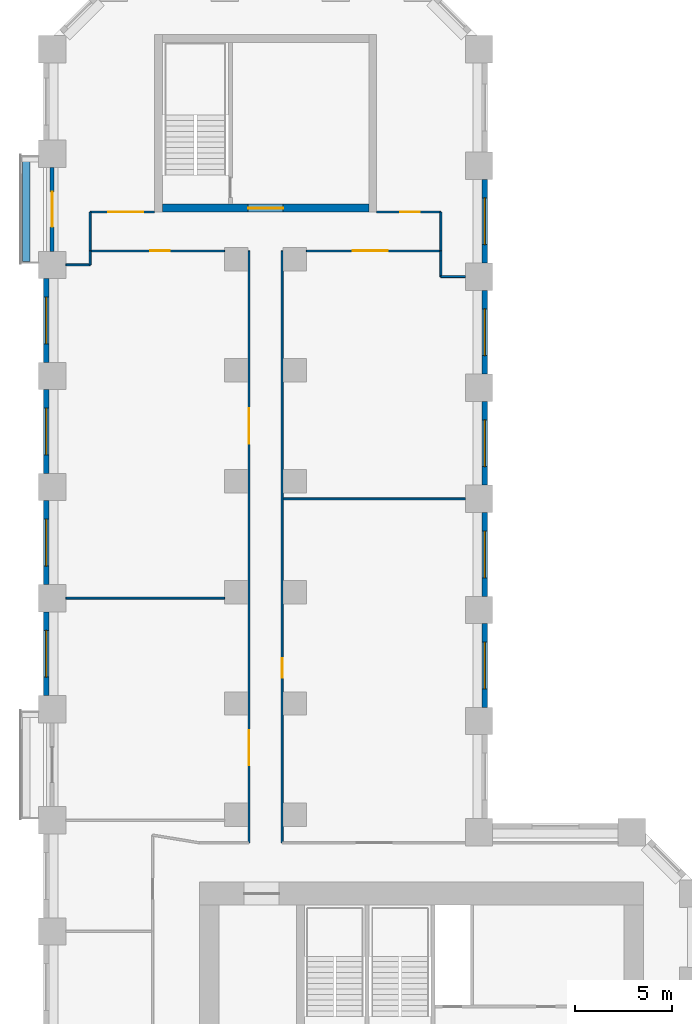
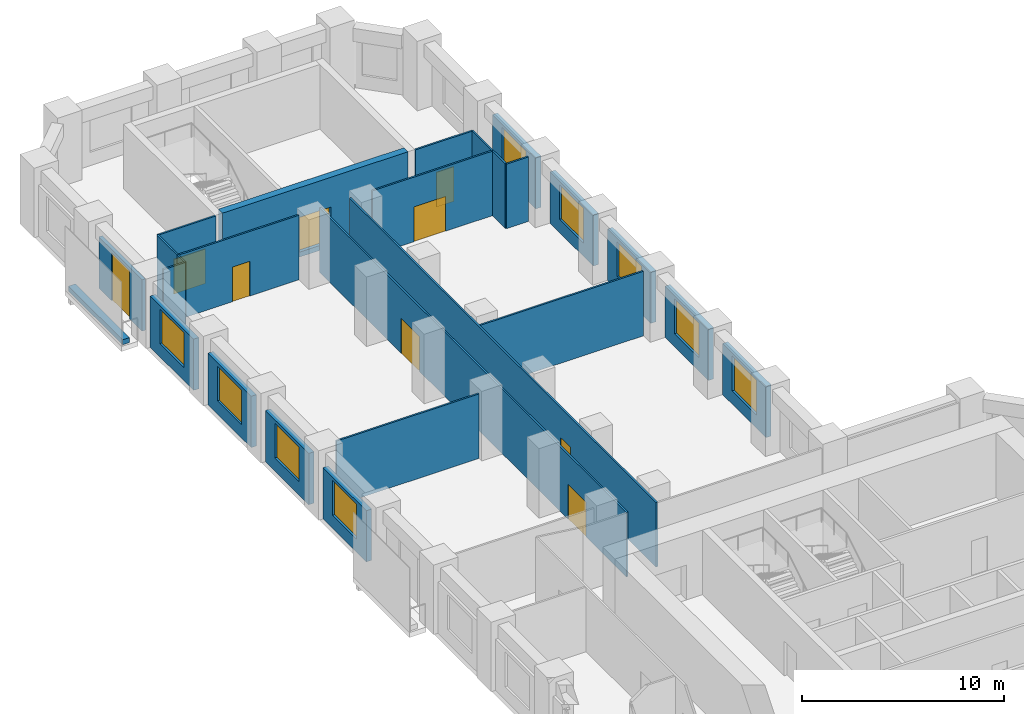
# One storey, part 8 of 11: 26 walls, 9 doors, 9 windows, 18 openings.
"""IFC4 building model written with IfcOpenShell, lengths in metres."""

from ifc_helpers import new_model, si_unit, direction, frame, frame_2d, origin, place, context, subcontext, project, spatial, rectangle, extrude, material, layer, layer_set, type_object, element, fill, save


model = new_model("IFC4")

# Units and contexts
model_context = context("Model", 3, precision=1e-05, world=origin(), true_north=direction((0.0, 1.0)))
body_context = subcontext(model_context, "Body", "Model", "MODEL_VIEW")
ifc_project = project(units=[si_unit("LENGTHUNIT", "METRE"), si_unit("AREAUNIT", "SQUARE_METRE"), si_unit("VOLUMEUNIT", "CUBIC_METRE"), si_unit("PLANEANGLEUNIT", "RADIAN"), si_unit("MASSUNIT", "GRAM", prefix="KILO")], contexts=[model_context])

# Site, building, storey
site_placement = place(None, origin())
site = spatial("IfcSite", under=ifc_project, at=site_placement, CompositionType="ELEMENT")
building_placement = place(site_placement, origin())
building = spatial("IfcBuilding", under=site, at=building_placement, Name="Meshkara Civic Tower", CompositionType="ELEMENT")
storey_placement = place(building_placement, frame((0.0, 0.0, 54.0)))
storey = spatial("IfcBuildingStorey", under=building, at=storey_placement, Name="L11", CompositionType="ELEMENT", Elevation=54.0)

# Wall, opening, door
ifc_material_1 = material(Name="Corridor wall 100")
ifc_layer_1 = layer(ifc_material_1, 0.10009765625)
ifc_layer_set_1 = layer_set([ifc_layer_1], Name="Corridor wall 100")
wall_type_1 = type_object("IfcWallType", Name="Corridor wall 100", PredefinedType="PARTITIONING", material=ifc_layer_set_1)
wall_1_placement = place(storey_placement, frame((2.39990234375, 69.27001953125, 0.0), z_axis=(0.0, 0.0, 1.0), x_axis=(1.0, 0.0, 0.0)))
wall_1 = element("IfcWall", 1, at=wall_1_placement, inside=storey, type_object=wall_type_1, Name="L11-W001", PredefinedType="PARTITIONING", context=body_context, shape_type="SweptSolid", body=[
    extrude(rectangle(XDim=6.900146484375, YDim=0.10009765625, at=frame_2d((3.4501953125, 0.0))), origin(), (0.0, 0.0, 1.0), 3.89990234375),
])
opening_1_placement = place(wall_1_placement, frame((3.080078125, 0.0, 0.0)))
opening_1 = element("IfcOpeningElement", 2, at=opening_1_placement, cuts=wall_1, Name="Opening L11-D026", PredefinedType="OPENING", context=body_context, shape_type="SweptSolid", body=[
    extrude(rectangle(XDim=1.0, YDim=2.10009765625, at=frame_2d((0.5, 1.050048828125))), frame((0.0, 0.06005859375, 0.0), z_axis=(0.0, -1.0, 0.0), x_axis=(1.0, 0.0, 0.0)), (0.0, 0.0, 1.0), 0.1201171875),
])
ifc_material_2 = material(Name="Door 1000 x 2100")
door_type_1 = type_object("IfcDoorType", Name="Door 1000 x 2100", OperationType="SINGLE_SWING_LEFT", PredefinedType="DOOR", material=ifc_material_2)
door_1_placement = place(opening_1_placement, origin())
door_1 = element("IfcDoor", 3, at=door_1_placement, inside=storey, type_object=door_type_1, Name="L11-D026", OperationType="SINGLE_SWING_LEFT", OverallHeight=2.10009765625, OverallWidth=1.0, PredefinedType="DOOR", context=body_context, shape_type="SweptSolid", body=[
    extrude(rectangle(XDim=1.0, YDim=2.10009765625, at=frame_2d((0.5, 1.050048828125))), frame((0.0, 0.02490234375, 0.0), z_axis=(0.0, -1.0, 0.0), x_axis=(1.0, 0.0, 0.0)), (0.0, 0.0, 1.0), 0.050048828125),
])
fill(opening_1, door_1)

# Wall
wall_2_placement = place(storey_placement, frame((2.39990234375, 71.27001953125, 0.0), z_axis=(0.0, 0.0, 1.0), x_axis=(0.0, -1.0, 0.0)))
element("IfcWall", 4, at=wall_2_placement, inside=storey, type_object=wall_type_1, Name="L11-W002", PredefinedType="PARTITIONING", context=body_context, shape_type="SweptSolid", body=[
    extrude(rectangle(XDim=2.0, YDim=0.10009765625, at=frame_2d((1.0, 0.0))), origin(), (0.0, 0.0, 1.0), 3.89990234375),
])

# Wall, opening, door
wall_3_placement = place(storey_placement, frame((5.699951171875, 71.27001953125, 0.0), z_axis=(0.0, 0.0, 1.0), x_axis=(-1.0, 0.0, 0.0)))
wall_3 = element("IfcWall", 5, at=wall_3_placement, inside=storey, type_object=wall_type_1, Name="L11-W006", PredefinedType="PARTITIONING", context=body_context, shape_type="SweptSolid", body=[
    extrude(rectangle(XDim=3.300048828125, YDim=0.10009765625, at=frame_2d((1.64990234375, 0.0))), origin(), (0.0, 0.0, 1.0), 3.89990234375),
])
opening_2_placement = place(wall_3_placement, frame((0.580078125, 0.0, 0.0)))
opening_2 = element("IfcOpeningElement", 6, at=opening_2_placement, cuts=wall_3, Name="Opening L11-D025", PredefinedType="OPENING", context=body_context, shape_type="SweptSolid", body=[
    extrude(rectangle(XDim=1.800048828125, YDim=2.10009765625, at=frame_2d((0.89990234375, 1.050048828125))), frame((0.0, 0.06005859375, 0.0), z_axis=(0.0, -1.0, 0.0), x_axis=(1.0, 0.0, 0.0)), (0.0, 0.0, 1.0), 0.1201171875),
])
ifc_material_3 = material(Name="Door pair 1800 x 2100")
door_type_2 = type_object("IfcDoorType", Name="Door pair 1800 x 2100", OperationType="SINGLE_SWING_LEFT", PredefinedType="DOOR", material=ifc_material_3)
door_2_placement = place(opening_2_placement, origin())
door_2 = element("IfcDoor", 7, at=door_2_placement, inside=storey, type_object=door_type_2, Name="L11-D025", OperationType="DOUBLE_DOOR_SINGLE_SWING", OverallHeight=2.10009765625, OverallWidth=1.800048828125, PredefinedType="DOOR", context=body_context, shape_type="SweptSolid", body=[
    extrude(rectangle(XDim=1.800048828125, YDim=2.10009765625, at=frame_2d((0.89990234375, 1.050048828125))), frame((0.0, 0.02490234375, 0.0), z_axis=(0.0, -1.0, 0.0), x_axis=(1.0, 0.0, 0.0)), (0.0, 0.0, 1.0), 0.050048828125),
])
fill(opening_2, door_2)

# Wall, openings, doors
wall_4_placement = place(storey_placement, frame((10.550048828125, 69.27001953125, 0.0), z_axis=(0.0, 0.0, 1.0), x_axis=(0.0, -1.0, 0.0)))
wall_4 = element("IfcWall", 8, at=wall_4_placement, inside=storey, type_object=wall_type_1, Name="L11-W014", PredefinedType="PARTITIONING", context=body_context, shape_type="SweptSolid", body=[
    extrude(rectangle(XDim=30.3701171875, YDim=0.10009765625, at=frame_2d((15.18505859375, 0.0))), origin(), (0.0, 0.0, 1.0), 3.89990234375),
])
opening_3_placement = place(wall_4_placement, frame((24.594970703125, 0.0, 0.0)))
opening_3 = element("IfcOpeningElement", 9, at=opening_3_placement, cuts=wall_4, Name="Opening L11-D022", PredefinedType="OPENING", context=body_context, shape_type="SweptSolid", body=[
    extrude(rectangle(XDim=1.800048828125, YDim=2.10009765625, at=frame_2d((0.89990234375, 1.050048828125))), frame((0.0, 0.06005859375, 0.0), z_axis=(0.0, -1.0, 0.0), x_axis=(1.0, 0.0, 0.0)), (0.0, 0.0, 1.0), 0.1201171875),
])
opening_4_placement = place(wall_4_placement, frame((8.080078125, 0.0, 0.0)))
opening_4 = element("IfcOpeningElement", 10, at=opening_4_placement, cuts=wall_4, Name="Opening L11-D024", PredefinedType="OPENING", context=body_context, shape_type="SweptSolid", body=[
    extrude(rectangle(XDim=1.800048828125, YDim=2.10009765625, at=frame_2d((0.89990234375, 1.050048828125))), frame((0.0, 0.06005859375, 0.0), z_axis=(0.0, -1.0, 0.0), x_axis=(1.0, 0.0, 0.0)), (0.0, 0.0, 1.0), 0.1201171875),
])
door_3_placement = place(opening_3_placement, origin())
door_3 = element("IfcDoor", 11, at=door_3_placement, inside=storey, type_object=door_type_2, Name="L11-D022", OperationType="DOUBLE_DOOR_SINGLE_SWING", OverallHeight=2.10009765625, OverallWidth=1.800048828125, PredefinedType="DOOR", context=body_context, shape_type="SweptSolid", body=[
    extrude(rectangle(XDim=1.800048828125, YDim=2.10009765625, at=frame_2d((0.89990234375, 1.050048828125))), frame((0.0, 0.02490234375, 0.0), z_axis=(0.0, -1.0, 0.0), x_axis=(1.0, 0.0, 0.0)), (0.0, 0.0, 1.0), 0.050048828125),
])
fill(opening_3, door_3)
door_4_placement = place(opening_4_placement, origin())
door_4 = element("IfcDoor", 12, at=door_4_placement, inside=storey, type_object=door_type_2, Name="L11-D024", OperationType="DOUBLE_DOOR_SINGLE_SWING", OverallHeight=2.10009765625, OverallWidth=1.800048828125, PredefinedType="DOOR", context=body_context, shape_type="SweptSolid", body=[
    extrude(rectangle(XDim=1.800048828125, YDim=2.10009765625, at=frame_2d((0.89990234375, 1.050048828125))), frame((0.0, 0.02490234375, 0.0), z_axis=(0.0, -1.0, 0.0), x_axis=(1.0, 0.0, 0.0)), (0.0, 0.0, 1.0), 0.050048828125),
])
fill(opening_4, door_4)

# Wall, opening, door
wall_5_placement = place(storey_placement, frame((12.25, 69.27001953125, 0.0), z_axis=(0.0, 0.0, 1.0), x_axis=(0.0, -1.0, 0.0)))
wall_5 = element("IfcWall", 13, at=wall_5_placement, inside=storey, type_object=wall_type_1, Name="L11-W015", PredefinedType="PARTITIONING", context=body_context, shape_type="SweptSolid", body=[
    extrude(rectangle(XDim=30.3701171875, YDim=0.10009765625, at=frame_2d((15.18505859375, 0.0))), origin(), (0.0, 0.0, 1.0), 3.89990234375),
])
opening_5_placement = place(wall_5_placement, frame((20.89990234375, 0.0, 0.0)))
opening_5 = element("IfcOpeningElement", 14, at=opening_5_placement, cuts=wall_5, Name="Opening L11-D023", PredefinedType="OPENING", context=body_context, shape_type="SweptSolid", body=[
    extrude(rectangle(XDim=1.0, YDim=2.10009765625, at=frame_2d((0.5, 1.050048828125))), frame((0.0, 0.06005859375, 0.0), z_axis=(0.0, -1.0, 0.0), x_axis=(1.0, 0.0, 0.0)), (0.0, 0.0, 1.0), 0.1201171875),
])
door_5_placement = place(opening_5_placement, origin())
door_5 = element("IfcDoor", 15, at=door_5_placement, inside=storey, type_object=door_type_1, Name="L11-D023", OperationType="SINGLE_SWING_LEFT", OverallHeight=2.10009765625, OverallWidth=1.0, PredefinedType="DOOR", context=body_context, shape_type="SweptSolid", body=[
    extrude(rectangle(XDim=1.0, YDim=2.10009765625, at=frame_2d((0.5, 1.050048828125))), frame((0.0, 0.02490234375, 0.0), z_axis=(0.0, -1.0, 0.0), x_axis=(1.0, 0.0, 0.0)), (0.0, 0.0, 1.0), 0.050048828125),
])
fill(opening_5, door_5)

wall_6_placement = place(storey_placement, frame((13.5, 69.27001953125, 0.0), z_axis=(0.0, 0.0, 1.0), x_axis=(1.0, 0.0, 0.0)))
wall_6 = element("IfcWall", 16, at=wall_6_placement, inside=storey, type_object=wall_type_1, Name="L11-W017", PredefinedType="PARTITIONING", context=body_context, shape_type="SweptSolid", body=[
    extrude(rectangle(XDim=6.89990234375, YDim=0.10009765625, at=frame_2d((3.449951171875, 0.0))), origin(), (0.0, 0.0, 1.0), 3.89990234375),
])
opening_6_placement = place(wall_6_placement, frame((2.3798828125, 0.0, 0.0)))
opening_6 = element("IfcOpeningElement", 17, at=opening_6_placement, cuts=wall_6, Name="Opening L11-D027", PredefinedType="OPENING", context=body_context, shape_type="SweptSolid", body=[
    extrude(rectangle(XDim=1.800048828125, YDim=2.10009765625, at=frame_2d((0.89990234375, 1.050048828125))), frame((0.0, 0.06005859375, 0.0), z_axis=(0.0, -1.0, 0.0), x_axis=(1.0, 0.0, 0.0)), (0.0, 0.0, 1.0), 0.1201171875),
])
door_6_placement = place(opening_6_placement, origin())
door_6 = element("IfcDoor", 18, at=door_6_placement, inside=storey, type_object=door_type_2, Name="L11-D027", OperationType="DOUBLE_DOOR_SINGLE_SWING", OverallHeight=2.10009765625, OverallWidth=1.800048828125, PredefinedType="DOOR", context=body_context, shape_type="SweptSolid", body=[
    extrude(rectangle(XDim=1.800048828125, YDim=2.10009765625, at=frame_2d((0.89990234375, 1.050048828125))), frame((0.0, 0.02490234375, 0.0), z_axis=(0.0, -1.0, 0.0), x_axis=(1.0, 0.0, 0.0)), (0.0, 0.0, 1.0), 0.050048828125),
])
fill(opening_6, door_6)

# Wall
wall_7_placement = place(storey_placement, frame((20.39990234375, 69.27001953125, 0.0), z_axis=(0.0, 0.0, 1.0), x_axis=(0.0, 1.0, 0.0)))
element("IfcWall", 19, at=wall_7_placement, inside=storey, type_object=wall_type_1, Name="L11-W018", PredefinedType="PARTITIONING", context=body_context, shape_type="SweptSolid", body=[
    extrude(rectangle(XDim=2.0, YDim=0.10009765625, at=frame_2d((1.0, 0.0))), origin(), (0.0, 0.0, 1.0), 3.89990234375),
])

# Wall, opening, door
wall_8_placement = place(storey_placement, frame((20.39990234375, 71.27001953125, 0.0), z_axis=(0.0, 0.0, 1.0), x_axis=(-1.0, 0.0, 0.0)))
wall_8 = element("IfcWall", 20, at=wall_8_placement, inside=storey, type_object=wall_type_1, Name="L11-W019", PredefinedType="PARTITIONING", context=body_context, shape_type="SweptSolid", body=[
    extrude(rectangle(XDim=3.2998046875, YDim=0.10009765625, at=frame_2d((1.64990234375, 0.0))), origin(), (0.0, 0.0, 1.0), 3.89990234375),
])
opening_7_placement = place(wall_8_placement, frame((1.080078125, 0.0, 0.0)))
opening_7 = element("IfcOpeningElement", 21, at=opening_7_placement, cuts=wall_8, Name="Opening L11-D028", PredefinedType="OPENING", context=body_context, shape_type="SweptSolid", body=[
    extrude(rectangle(XDim=1.0, YDim=2.10009765625, at=frame_2d((0.5, 1.050048828125))), frame((0.0, 0.06005859375, 0.0), z_axis=(0.0, -1.0, 0.0), x_axis=(1.0, 0.0, 0.0)), (0.0, 0.0, 1.0), 0.1201171875),
])
door_7_placement = place(opening_7_placement, origin())
door_7 = element("IfcDoor", 22, at=door_7_placement, inside=storey, type_object=door_type_1, Name="L11-D028", OperationType="SINGLE_SWING_RIGHT", OverallHeight=2.10009765625, OverallWidth=1.0, PredefinedType="DOOR", context=body_context, shape_type="SweptSolid", body=[
    extrude(rectangle(XDim=1.0, YDim=2.10009765625, at=frame_2d((0.5, 1.050048828125))), frame((0.0, 0.02490234375, 0.0), z_axis=(0.0, -1.0, 0.0), x_axis=(1.0, 0.0, 0.0)), (0.0, 0.0, 1.0), 0.050048828125),
])
fill(opening_7, door_7)

# Wall, opening, window
ifc_material_4 = material(Name="Insulated infill panel with bronze anodised aluminium cladding", Category="aluminium")
ifc_layer_2 = layer(ifc_material_4, 0.300048828125)
ifc_layer_set_2 = layer_set([ifc_layer_2], Name="EXTERNAL INFILL WALL 300")
wall_type_2 = type_object("IfcWallType", Name="EXTERNAL INFILL WALL 300", PredefinedType="SOLIDWALL", material=ifc_layer_set_2)
wall_9_placement = place(storey_placement, frame((22.64990234375, 45.85009765625, 0.0), z_axis=(0.0, 0.0, 1.0), x_axis=(0.0, 1.0, 0.0)))
wall_9 = element("IfcWall", 23, at=wall_9_placement, inside=storey, type_object=wall_type_2, Name="External wall", PredefinedType="SOLIDWALL", context=body_context, shape_type="SweptSolid", body=[
    extrude(rectangle(XDim=4.2998046875, YDim=0.300048828125, at=frame_2d((2.14990234375, 0.0))), origin(), (0.0, 0.0, 1.0), 3.10009765625),
])
opening_8_placement = place(wall_9_placement, frame((0.949951171875, 0.0, 0.800048828125)))
opening_8 = element("IfcOpeningElement", 24, at=opening_8_placement, cuts=wall_9, Name="Opening W7", PredefinedType="OPENING", context=body_context, shape_type="SweptSolid", body=[
    extrude(rectangle(XDim=2.39990234375, YDim=2.10009765625, at=frame_2d((1.199951171875, 1.050048828125))), frame((0.0, 0.159912109375, 0.0), z_axis=(0.0, -1.0, 0.0), x_axis=(1.0, 0.0, 0.0)), (0.0, 0.0, 1.0), 0.320068359375),
])
ifc_material_5 = material(Name="Tinted double glazing", Category="glass")
window_type = type_object("IfcWindowType", Name="WINDOW 2400x2100", PartitioningType="DOUBLE_PANEL_VERTICAL", PredefinedType="WINDOW", material=ifc_material_5)
window_1_placement = place(opening_8_placement, origin())
window_1 = element("IfcWindow", 25, at=window_1_placement, inside=storey, type_object=window_type, Name="Window", OverallHeight=2.10009765625, OverallWidth=2.39990234375, PartitioningType="DOUBLE_PANEL_VERTICAL", PredefinedType="WINDOW", context=body_context, shape_type="SweptSolid", body=[
    extrude(rectangle(XDim=2.39990234375, YDim=2.10009765625, at=frame_2d((1.199951171875, 1.050048828125))), frame((0.0, 0.030029296875, 0.0), z_axis=(0.0, -1.0, 0.0), x_axis=(1.0, 0.0, 0.0)), (0.0, 0.0, 1.0), 0.06005859375),
])
fill(opening_8, window_1)

wall_10_placement = place(storey_placement, frame((22.64990234375, 51.550048828125, 0.0), z_axis=(0.0, 0.0, 1.0), x_axis=(0.0, 1.0, 0.0)))
wall_10 = element("IfcWall", 26, at=wall_10_placement, inside=storey, type_object=wall_type_2, Name="External wall", PredefinedType="SOLIDWALL", context=body_context, shape_type="SweptSolid", body=[
    extrude(rectangle(XDim=4.300048828125, YDim=0.300048828125, at=frame_2d((2.14990234375, 0.0))), origin(), (0.0, 0.0, 1.0), 3.10009765625),
])
opening_9_placement = place(wall_10_placement, frame((0.949951171875, 0.0, 0.800048828125)))
opening_9 = element("IfcOpeningElement", 27, at=opening_9_placement, cuts=wall_10, Name="Opening W7", PredefinedType="OPENING", context=body_context, shape_type="SweptSolid", body=[
    extrude(rectangle(XDim=2.39990234375, YDim=2.10009765625, at=frame_2d((1.199951171875, 1.050048828125))), frame((0.0, 0.159912109375, 0.0), z_axis=(0.0, -1.0, 0.0), x_axis=(1.0, 0.0, 0.0)), (0.0, 0.0, 1.0), 0.320068359375),
])
window_2_placement = place(opening_9_placement, origin())
window_2 = element("IfcWindow", 28, at=window_2_placement, inside=storey, type_object=window_type, Name="Window", OverallHeight=2.10009765625, OverallWidth=2.39990234375, PartitioningType="DOUBLE_PANEL_VERTICAL", PredefinedType="WINDOW", context=body_context, shape_type="SweptSolid", body=[
    extrude(rectangle(XDim=2.39990234375, YDim=2.10009765625, at=frame_2d((1.199951171875, 1.050048828125))), frame((0.0, 0.030029296875, 0.0), z_axis=(0.0, -1.0, 0.0), x_axis=(1.0, 0.0, 0.0)), (0.0, 0.0, 1.0), 0.06005859375),
])
fill(opening_9, window_2)

wall_11_placement = place(storey_placement, frame((22.64990234375, 57.25, 0.0), z_axis=(0.0, 0.0, 1.0), x_axis=(0.0, 1.0, 0.0)))
wall_11 = element("IfcWall", 29, at=wall_11_placement, inside=storey, type_object=wall_type_2, Name="External wall", PredefinedType="SOLIDWALL", context=body_context, shape_type="SweptSolid", body=[
    extrude(rectangle(XDim=4.300048828125, YDim=0.300048828125, at=frame_2d((2.14990234375, 0.0))), origin(), (0.0, 0.0, 1.0), 3.10009765625),
])
opening_10_placement = place(wall_11_placement, frame((0.949951171875, 0.0, 0.800048828125)))
opening_10 = element("IfcOpeningElement", 30, at=opening_10_placement, cuts=wall_11, Name="Opening W7", PredefinedType="OPENING", context=body_context, shape_type="SweptSolid", body=[
    extrude(rectangle(XDim=2.39990234375, YDim=2.10009765625, at=frame_2d((1.199951171875, 1.050048828125))), frame((0.0, 0.159912109375, 0.0), z_axis=(0.0, -1.0, 0.0), x_axis=(1.0, 0.0, 0.0)), (0.0, 0.0, 1.0), 0.320068359375),
])
window_3_placement = place(opening_10_placement, origin())
window_3 = element("IfcWindow", 31, at=window_3_placement, inside=storey, type_object=window_type, Name="Window", OverallHeight=2.10009765625, OverallWidth=2.39990234375, PartitioningType="DOUBLE_PANEL_VERTICAL", PredefinedType="WINDOW", context=body_context, shape_type="SweptSolid", body=[
    extrude(rectangle(XDim=2.39990234375, YDim=2.10009765625, at=frame_2d((1.199951171875, 1.050048828125))), frame((0.0, 0.030029296875, 0.0), z_axis=(0.0, -1.0, 0.0), x_axis=(1.0, 0.0, 0.0)), (0.0, 0.0, 1.0), 0.06005859375),
])
fill(opening_10, window_3)

wall_12_placement = place(storey_placement, frame((22.64990234375, 62.949951171875, 0.0), z_axis=(0.0, 0.0, 1.0), x_axis=(0.0, 1.0, 0.0)))
wall_12 = element("IfcWall", 32, at=wall_12_placement, inside=storey, type_object=wall_type_2, Name="External wall", PredefinedType="SOLIDWALL", context=body_context, shape_type="SweptSolid", body=[
    extrude(rectangle(XDim=4.300048828125, YDim=0.300048828125, at=frame_2d((2.14990234375, 0.0))), origin(), (0.0, 0.0, 1.0), 3.10009765625),
])
opening_11_placement = place(wall_12_placement, frame((0.949951171875, 0.0, 0.800048828125)))
opening_11 = element("IfcOpeningElement", 33, at=opening_11_placement, cuts=wall_12, Name="Opening W7", PredefinedType="OPENING", context=body_context, shape_type="SweptSolid", body=[
    extrude(rectangle(XDim=2.39990234375, YDim=2.10009765625, at=frame_2d((1.199951171875, 1.050048828125))), frame((0.0, 0.159912109375, 0.0), z_axis=(0.0, -1.0, 0.0), x_axis=(1.0, 0.0, 0.0)), (0.0, 0.0, 1.0), 0.320068359375),
])
window_4_placement = place(opening_11_placement, origin())
window_4 = element("IfcWindow", 34, at=window_4_placement, inside=storey, type_object=window_type, Name="Window", OverallHeight=2.10009765625, OverallWidth=2.39990234375, PartitioningType="DOUBLE_PANEL_VERTICAL", PredefinedType="WINDOW", context=body_context, shape_type="SweptSolid", body=[
    extrude(rectangle(XDim=2.39990234375, YDim=2.10009765625, at=frame_2d((1.199951171875, 1.050048828125))), frame((0.0, 0.030029296875, 0.0), z_axis=(0.0, -1.0, 0.0), x_axis=(1.0, 0.0, 0.0)), (0.0, 0.0, 1.0), 0.06005859375),
])
fill(opening_11, window_4)

wall_13_placement = place(storey_placement, frame((22.64990234375, 68.64990234375, 0.0), z_axis=(0.0, 0.0, 1.0), x_axis=(0.0, 1.0, 0.0)))
wall_13 = element("IfcWall", 35, at=wall_13_placement, inside=storey, type_object=wall_type_2, Name="External wall", PredefinedType="SOLIDWALL", context=body_context, shape_type="SweptSolid", body=[
    extrude(rectangle(XDim=4.300048828125, YDim=0.300048828125, at=frame_2d((2.14990234375, 0.0))), origin(), (0.0, 0.0, 1.0), 3.10009765625),
])
opening_12_placement = place(wall_13_placement, frame((0.949951171875, 0.0, 0.800048828125)))
opening_12 = element("IfcOpeningElement", 36, at=opening_12_placement, cuts=wall_13, Name="Opening W7", PredefinedType="OPENING", context=body_context, shape_type="SweptSolid", body=[
    extrude(rectangle(XDim=2.39990234375, YDim=2.10009765625, at=frame_2d((1.199951171875, 1.050048828125))), frame((0.0, 0.159912109375, 0.0), z_axis=(0.0, -1.0, 0.0), x_axis=(1.0, 0.0, 0.0)), (0.0, 0.0, 1.0), 0.320068359375),
])
window_5_placement = place(opening_12_placement, origin())
window_5 = element("IfcWindow", 37, at=window_5_placement, inside=storey, type_object=window_type, Name="Window", OverallHeight=2.10009765625, OverallWidth=2.39990234375, PartitioningType="DOUBLE_PANEL_VERTICAL", PredefinedType="WINDOW", context=body_context, shape_type="SweptSolid", body=[
    extrude(rectangle(XDim=2.39990234375, YDim=2.10009765625, at=frame_2d((1.199951171875, 1.050048828125))), frame((0.0, 0.030029296875, 0.0), z_axis=(0.0, -1.0, 0.0), x_axis=(1.0, 0.0, 0.0)), (0.0, 0.0, 1.0), 0.06005859375),
])
fill(opening_12, window_5)

wall_14_placement = place(storey_placement, frame((0.14990234375, 67.85498046875, 0.0), z_axis=(0.0, 0.0, 1.0), x_axis=(0.0, -1.0, 0.0)))
wall_14 = element("IfcWall", 38, at=wall_14_placement, inside=storey, type_object=wall_type_2, Name="External wall", PredefinedType="SOLIDWALL", context=body_context, shape_type="SweptSolid", body=[
    extrude(rectangle(XDim=4.300048828125, YDim=0.300048828125, at=frame_2d((2.14990234375, 0.0))), origin(), (0.0, 0.0, 1.0), 3.10009765625),
])
opening_13_placement = place(wall_14_placement, frame((0.949951171875, 0.0, 0.800048828125)))
opening_13 = element("IfcOpeningElement", 39, at=opening_13_placement, cuts=wall_14, Name="Opening W7", PredefinedType="OPENING", context=body_context, shape_type="SweptSolid", body=[
    extrude(rectangle(XDim=2.39990234375, YDim=2.10009765625, at=frame_2d((1.199951171875, 1.050048828125))), frame((0.0, 0.159912109375, 0.0), z_axis=(0.0, -1.0, 0.0), x_axis=(1.0, 0.0, 0.0)), (0.0, 0.0, 1.0), 0.320068359375),
])
window_6_placement = place(opening_13_placement, origin())
window_6 = element("IfcWindow", 40, at=window_6_placement, inside=storey, type_object=window_type, Name="Window", OverallHeight=2.10009765625, OverallWidth=2.39990234375, PartitioningType="DOUBLE_PANEL_VERTICAL", PredefinedType="WINDOW", context=body_context, shape_type="SweptSolid", body=[
    extrude(rectangle(XDim=2.39990234375, YDim=2.10009765625, at=frame_2d((1.199951171875, 1.050048828125))), frame((0.0, 0.030029296875, 0.0), z_axis=(0.0, -1.0, 0.0), x_axis=(1.0, 0.0, 0.0)), (0.0, 0.0, 1.0), 0.06005859375),
])
fill(opening_13, window_6)

wall_15_placement = place(storey_placement, frame((0.14990234375, 62.155029296875, 0.0), z_axis=(0.0, 0.0, 1.0), x_axis=(0.0, -1.0, 0.0)))
wall_15 = element("IfcWall", 41, at=wall_15_placement, inside=storey, type_object=wall_type_2, Name="External wall", PredefinedType="SOLIDWALL", context=body_context, shape_type="SweptSolid", body=[
    extrude(rectangle(XDim=4.300048828125, YDim=0.300048828125, at=frame_2d((2.14990234375, 0.0))), origin(), (0.0, 0.0, 1.0), 3.10009765625),
])
opening_14_placement = place(wall_15_placement, frame((0.949951171875, 0.0, 0.800048828125)))
opening_14 = element("IfcOpeningElement", 42, at=opening_14_placement, cuts=wall_15, Name="Opening W7", PredefinedType="OPENING", context=body_context, shape_type="SweptSolid", body=[
    extrude(rectangle(XDim=2.39990234375, YDim=2.10009765625, at=frame_2d((1.199951171875, 1.050048828125))), frame((0.0, 0.159912109375, 0.0), z_axis=(0.0, -1.0, 0.0), x_axis=(1.0, 0.0, 0.0)), (0.0, 0.0, 1.0), 0.320068359375),
])
window_7_placement = place(opening_14_placement, origin())
window_7 = element("IfcWindow", 43, at=window_7_placement, inside=storey, type_object=window_type, Name="Window", OverallHeight=2.10009765625, OverallWidth=2.39990234375, PartitioningType="DOUBLE_PANEL_VERTICAL", PredefinedType="WINDOW", context=body_context, shape_type="SweptSolid", body=[
    extrude(rectangle(XDim=2.39990234375, YDim=2.10009765625, at=frame_2d((1.199951171875, 1.050048828125))), frame((0.0, 0.030029296875, 0.0), z_axis=(0.0, -1.0, 0.0), x_axis=(1.0, 0.0, 0.0)), (0.0, 0.0, 1.0), 0.06005859375),
])
fill(opening_14, window_7)

wall_16_placement = place(storey_placement, frame((0.14990234375, 56.455078125, 0.0), z_axis=(0.0, 0.0, 1.0), x_axis=(0.0, -1.0, 0.0)))
wall_16 = element("IfcWall", 44, at=wall_16_placement, inside=storey, type_object=wall_type_2, Name="External wall", PredefinedType="SOLIDWALL", context=body_context, shape_type="SweptSolid", body=[
    extrude(rectangle(XDim=4.300048828125, YDim=0.300048828125, at=frame_2d((2.14990234375, 0.0))), origin(), (0.0, 0.0, 1.0), 3.10009765625),
])
opening_15_placement = place(wall_16_placement, frame((0.949951171875, 0.0, 0.800048828125)))
opening_15 = element("IfcOpeningElement", 45, at=opening_15_placement, cuts=wall_16, Name="Opening W7", PredefinedType="OPENING", context=body_context, shape_type="SweptSolid", body=[
    extrude(rectangle(XDim=2.39990234375, YDim=2.10009765625, at=frame_2d((1.199951171875, 1.050048828125))), frame((0.0, 0.159912109375, 0.0), z_axis=(0.0, -1.0, 0.0), x_axis=(1.0, 0.0, 0.0)), (0.0, 0.0, 1.0), 0.320068359375),
])
window_8_placement = place(opening_15_placement, origin())
window_8 = element("IfcWindow", 46, at=window_8_placement, inside=storey, type_object=window_type, Name="Window", OverallHeight=2.10009765625, OverallWidth=2.39990234375, PartitioningType="DOUBLE_PANEL_VERTICAL", PredefinedType="WINDOW", context=body_context, shape_type="SweptSolid", body=[
    extrude(rectangle(XDim=2.39990234375, YDim=2.10009765625, at=frame_2d((1.199951171875, 1.050048828125))), frame((0.0, 0.030029296875, 0.0), z_axis=(0.0, -1.0, 0.0), x_axis=(1.0, 0.0, 0.0)), (0.0, 0.0, 1.0), 0.06005859375),
])
fill(opening_15, window_8)

wall_17_placement = place(storey_placement, frame((0.14990234375, 50.7548828125, 0.0), z_axis=(0.0, 0.0, 1.0), x_axis=(0.0, -1.0, 0.0)))
wall_17 = element("IfcWall", 47, at=wall_17_placement, inside=storey, type_object=wall_type_2, Name="External wall", PredefinedType="SOLIDWALL", context=body_context, shape_type="SweptSolid", body=[
    extrude(rectangle(XDim=4.2998046875, YDim=0.300048828125, at=frame_2d((2.14990234375, 0.0))), origin(), (0.0, 0.0, 1.0), 3.10009765625),
])
opening_16_placement = place(wall_17_placement, frame((0.949951171875, 0.0, 0.800048828125)))
opening_16 = element("IfcOpeningElement", 48, at=opening_16_placement, cuts=wall_17, Name="Opening W7", PredefinedType="OPENING", context=body_context, shape_type="SweptSolid", body=[
    extrude(rectangle(XDim=2.39990234375, YDim=2.10009765625, at=frame_2d((1.199951171875, 1.050048828125))), frame((0.0, 0.159912109375, 0.0), z_axis=(0.0, -1.0, 0.0), x_axis=(1.0, 0.0, 0.0)), (0.0, 0.0, 1.0), 0.320068359375),
])
window_9_placement = place(opening_16_placement, origin())
window_9 = element("IfcWindow", 49, at=window_9_placement, inside=storey, type_object=window_type, Name="Window", OverallHeight=2.10009765625, OverallWidth=2.39990234375, PartitioningType="DOUBLE_PANEL_VERTICAL", PredefinedType="WINDOW", context=body_context, shape_type="SweptSolid", body=[
    extrude(rectangle(XDim=2.39990234375, YDim=2.10009765625, at=frame_2d((1.199951171875, 1.050048828125))), frame((0.0, 0.030029296875, 0.0), z_axis=(0.0, -1.0, 0.0), x_axis=(1.0, 0.0, 0.0)), (0.0, 0.0, 1.0), 0.06005859375),
])
fill(opening_16, window_9)

# Wall, opening, door
ifc_material_6 = material(Name="Concrete C80", Category="concrete")
ifc_layer_3 = layer(ifc_material_6, 0.39990234375)
ifc_layer_set_3 = layer_set([ifc_layer_3], Name="End core ring wall 400 C80")
wall_type_3 = type_object("IfcWallType", Name="End core ring wall 400 C80", PredefinedType="SHEAR", material=ifc_layer_set_3)
wall_18_placement = place(storey_placement, frame((6.10009765625, 71.469970703125, -0.300048828125), z_axis=(0.0, 0.0, 1.0), x_axis=(1.0, 0.0, 0.0)))
wall_18 = element("IfcWall", 50, at=wall_18_placement, inside=storey, type_object=wall_type_3, Name="L11-C027", PredefinedType="SHEAR", context=body_context, shape_type="SweptSolid", body=[
    extrude(rectangle(XDim=10.599853515625, YDim=0.39990234375, at=frame_2d((5.2998046875, 0.0))), origin(), (0.0, 0.0, 1.0), 4.199951171875),
])
opening_17_placement = place(wall_18_placement, frame((4.39990234375, 0.0, 0.300048828125)))
opening_17 = element("IfcOpeningElement", 51, at=opening_17_placement, cuts=wall_18, Name="Opening L11-K102", PredefinedType="OPENING", context=body_context, shape_type="SweptSolid", body=[
    extrude(rectangle(XDim=1.800048828125, YDim=2.10009765625, at=frame_2d((0.89990234375, 1.050048828125))), frame((0.0, 0.2099609375, 0.0), z_axis=(0.0, -1.0, 0.0), x_axis=(1.0, 0.0, 0.0)), (0.0, 0.0, 1.0), 0.419921875),
])
ifc_material_7 = material(Name="Fire-rated door leaf in steel frame", Category="steel")
door_type_3 = type_object("IfcDoorType", Name="Core double door 1800 EI 60", OperationType="DOUBLE_DOOR_SINGLE_SWING", PredefinedType="DOOR", material=ifc_material_7)
door_8_placement = place(opening_17_placement, origin())
door_8 = element("IfcDoor", 52, at=door_8_placement, inside=storey, type_object=door_type_3, Name="L11-K102", OperationType="DOUBLE_DOOR_SINGLE_SWING", OverallHeight=2.10009765625, OverallWidth=1.800048828125, PredefinedType="DOOR", context=body_context, shape_type="SweptSolid", body=[
    extrude(rectangle(XDim=1.800048828125, YDim=2.10009765625, at=frame_2d((0.89990234375, 1.050048828125))), frame((0.0, 0.02490234375, 0.0), z_axis=(0.0, -1.0, 0.0), x_axis=(1.0, 0.0, 0.0)), (0.0, 0.0, 1.0), 0.050048828125),
])
fill(opening_17, door_8)

ifc_material_8 = material(Name="Insulated infill panel with bronze anodised aluminium cladding", Category="aluminium")
ifc_layer_4 = layer(ifc_material_8, 0.199951171875)
ifc_layer_set_4 = layer_set([ifc_layer_4], Name="LOGGIA BACK WALL 200")
wall_type_4 = type_object("IfcWallType", Name="LOGGIA BACK WALL 200", PredefinedType="SOLIDWALL", material=ifc_layer_set_4)
wall_19_placement = place(storey_placement, frame((0.449951171875, 73.553955078125, 0.0), z_axis=(0.0, 0.0, 1.0), x_axis=(0.0, -1.0, 0.0)))
wall_19 = element("IfcWall", 53, at=wall_19_placement, inside=storey, type_object=wall_type_4, Name="Loggia wall", PredefinedType="SOLIDWALL", context=body_context, shape_type="SweptSolid", body=[
    extrude(rectangle(XDim=4.2978515625, YDim=0.199951171875, at=frame_2d((2.14892578125, 0.0))), origin(), (0.0, 0.0, 1.0), 3.10009765625),
])
opening_18_placement = place(wall_19_placement, frame((1.2490234375, 0.0, 0.0)))
opening_18 = element("IfcOpeningElement", 54, at=opening_18_placement, cuts=wall_19, Name="Opening L11-L001", PredefinedType="OPENING", context=body_context, shape_type="SweptSolid", body=[
    extrude(rectangle(XDim=1.800048828125, YDim=2.89990234375, at=frame_2d((0.89990234375, 1.449951171875))), frame((0.0, 0.10986328125, 0.0), z_axis=(0.0, -1.0, 0.0), x_axis=(1.0, 0.0, 0.0)), (0.0, 0.0, 1.0), 0.219970703125),
])
ifc_material_9 = material(Name="Tinted double glazing", Category="glass")
door_type_4 = type_object("IfcDoorType", Name="LOGGIA DOOR 1800x2900", OperationType="DOUBLE_DOOR_SINGLE_SWING", PredefinedType="DOOR", material=ifc_material_9)
door_9_placement = place(opening_18_placement, origin())
door_9 = element("IfcDoor", 55, at=door_9_placement, inside=storey, type_object=door_type_4, Name="L11-L001", OperationType="DOUBLE_DOOR_SINGLE_SWING", OverallHeight=2.89990234375, OverallWidth=1.800048828125, PredefinedType="DOOR", context=body_context, shape_type="SweptSolid", body=[
    extrude(rectangle(XDim=1.800048828125, YDim=2.89990234375, at=frame_2d((0.89990234375, 1.449951171875))), frame((0.0, 0.02490234375, 0.0), z_axis=(0.0, -1.0, 0.0), x_axis=(1.0, 0.0, 0.0)), (0.0, 0.0, 1.0), 0.050048828125),
])
fill(opening_18, door_9)

# Walls
ifc_material_10 = material(Name="Concrete C40", Category="concrete")
ifc_layer_5 = layer(ifc_material_10, 0.39990234375)
ifc_layer_set_5 = layer_set([ifc_layer_5], Name="PLANTER TRAY")
wall_type_5 = type_object("IfcWallType", Name="PLANTER TRAY", PredefinedType="SOLIDWALL", material=ifc_layer_set_5)
wall_20_placement = place(storey_placement, frame((-0.8798828125, 74.0849609375, 0.0), z_axis=(0.0, 0.0, 1.0), x_axis=(0.0, -1.0, 0.0)))
element("IfcWall", 56, at=wall_20_placement, inside=storey, type_object=wall_type_5, Name="Planter", PredefinedType="SOLIDWALL", context=body_context, shape_type="SweptSolid", body=[
    extrude(rectangle(XDim=5.35986328125, YDim=0.39990234375, at=frame_2d((2.679931640625, 0.0))), origin(), (0.0, 0.0, 1.0), 0.300048828125),
])
ifc_material_11 = material(Name="Partition 100")
ifc_layer_6 = layer(ifc_material_11, 0.10009765625)
ifc_layer_set_6 = layer_set([ifc_layer_6], Name="Partition 100")
wall_type_6 = type_object("IfcWallType", Name="Partition 100", PredefinedType="PARTITIONING", material=ifc_layer_set_6)
wall_21_placement = place(storey_placement, frame((2.39990234375, 68.554931640625, 0.0), z_axis=(0.0, 0.0, 1.0), x_axis=(-1.0, 0.0, 0.0)))
element("IfcWall", 57, at=wall_21_placement, inside=storey, type_object=wall_type_6, Name="L11-W031", PredefinedType="PARTITIONING", context=body_context, shape_type="SweptSolid", body=[
    extrude(rectangle(XDim=1.25, YDim=0.10009765625, at=frame_2d((0.625, 0.0))), origin(), (0.0, 0.0, 1.0), 3.89990234375),
])
wall_22_placement = place(storey_placement, frame((2.39990234375, 69.27392578125, 0.0), z_axis=(0.0, 0.0, 1.0), x_axis=(0.0, -1.0, 0.0)))
element("IfcWall", 58, at=wall_22_placement, inside=storey, type_object=wall_type_6, Name="L11-W032", PredefinedType="PARTITIONING", context=body_context, shape_type="SweptSolid", body=[
    extrude(rectangle(XDim=0.718994140625, YDim=0.10009765625, at=frame_2d((0.359375, 0.0))), origin(), (0.0, 0.0, 1.0), 3.89990234375),
])
wall_23_placement = place(storey_placement, frame((9.300048828125, 51.455078125, 0.0), z_axis=(0.0, 0.0, 1.0), x_axis=(-1.0, 0.0, 0.0)))
element("IfcWall", 59, at=wall_23_placement, inside=storey, type_object=wall_type_6, Name="L11-W041", PredefinedType="PARTITIONING", context=body_context, shape_type="SweptSolid", body=[
    extrude(rectangle(XDim=8.150146484375, YDim=0.10009765625, at=frame_2d((4.0751953125, 0.0))), origin(), (0.0, 0.0, 1.0), 3.89990234375),
])
wall_24_placement = place(storey_placement, frame((20.39990234375, 67.949951171875, 0.0), z_axis=(0.0, 0.0, 1.0), x_axis=(0.0, 1.0, 0.0)))
element("IfcWall", 60, at=wall_24_placement, inside=storey, type_object=wall_type_6, Name="L11-W042", PredefinedType="PARTITIONING", context=body_context, shape_type="SweptSolid", body=[
    extrude(rectangle(XDim=1.323974609375, YDim=0.10009765625, at=frame_2d((0.662109375, 0.0))), origin(), (0.0, 0.0, 1.0), 3.89990234375),
])
wall_25_placement = place(storey_placement, frame((21.64990234375, 56.550048828125, 0.0), z_axis=(0.0, 0.0, 1.0), x_axis=(-1.0, 0.0, 0.0)))
element("IfcWall", 61, at=wall_25_placement, inside=storey, type_object=wall_type_6, Name="L11-W044", PredefinedType="PARTITIONING", context=body_context, shape_type="SweptSolid", body=[
    extrude(rectangle(XDim=9.349853515625, YDim=0.10009765625, at=frame_2d((4.6748046875, 0.0))), origin(), (0.0, 0.0, 1.0), 3.89990234375),
])
wall_26_placement = place(storey_placement, frame((21.64990234375, 67.949951171875, 0.0), z_axis=(0.0, 0.0, 1.0), x_axis=(-1.0, 0.0, 0.0)))
element("IfcWall", 62, at=wall_26_placement, inside=storey, type_object=wall_type_6, Name="L11-W045", PredefinedType="PARTITIONING", context=body_context, shape_type="SweptSolid", body=[
    extrude(rectangle(XDim=1.25, YDim=0.10009765625, at=frame_2d((0.625, 0.0))), origin(), (0.0, 0.0, 1.0), 3.89990234375),
])

save(model, "model.ifc")
